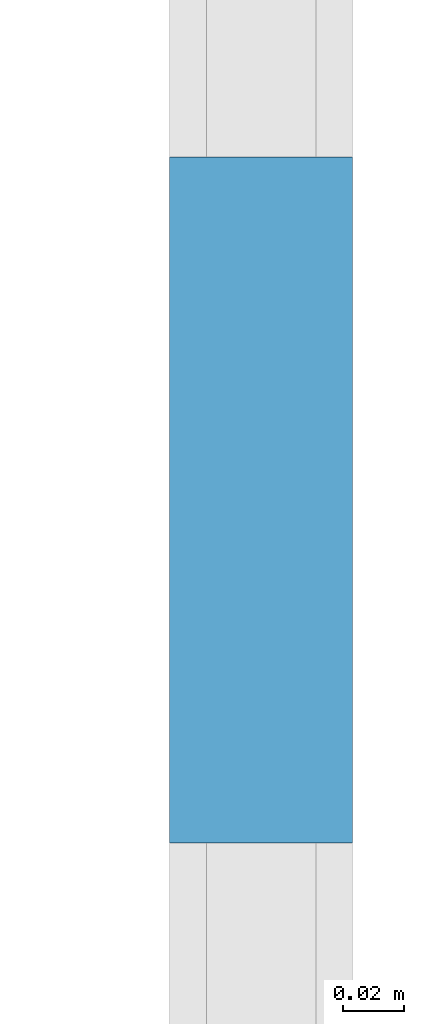
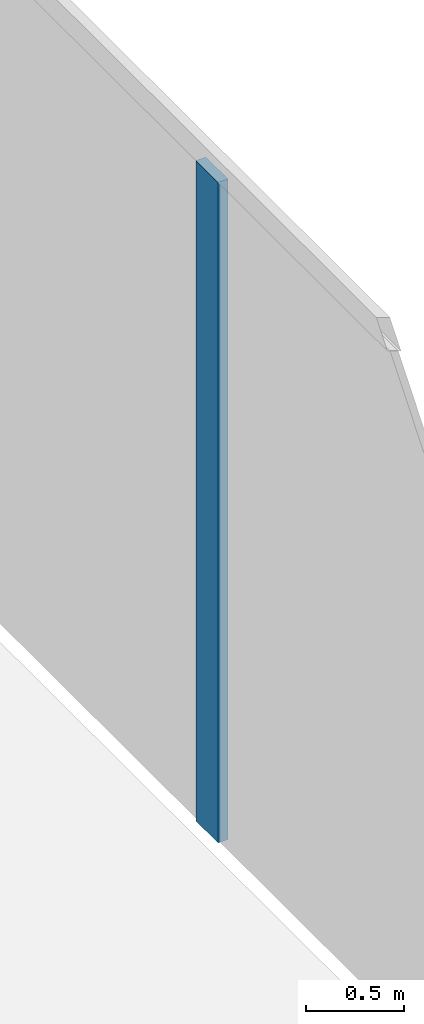
# One storey, part 19 of 47: 1 member, 1 element without a shape of its own.
"""IFC4 building model written with IfcOpenShell, lengths in metres."""

from ifc_helpers import new_model, si_unit, direction, frame, origin, origin_2d, place, context, subcontext, project, spatial, rectangle, extrude, material, layer, layer_set, material_profile, profile_set, type_object, element, aggregate, save


model = new_model("IFC4")

# Units and contexts
model_context = context("Model", 3, precision=1e-05, world=origin(), true_north=direction((0.0, 1.0)))
body_context = subcontext(model_context, "Body", "Model", "MODEL_VIEW")
ifc_project = project(units=[si_unit("LENGTHUNIT", "METRE"), si_unit("AREAUNIT", "SQUARE_METRE"), si_unit("VOLUMEUNIT", "CUBIC_METRE"), si_unit("PLANEANGLEUNIT", "RADIAN"), si_unit("MASSUNIT", "GRAM", prefix="KILO")], contexts=[model_context])

# Site, building, storey
site_placement = place(None, origin())
site = spatial("IfcSite", under=ifc_project, at=site_placement, CompositionType="ELEMENT")
building_placement = place(site_placement, origin())
building = spatial("IfcBuilding", under=site, at=building_placement, Name="Kheshtan School and Residences Tower", CompositionType="ELEMENT")
storey_placement = place(building_placement, frame((0.0, 0.0, 12.5)))
storey = spatial("IfcBuildingStorey", under=building, at=storey_placement, Name="L02", CompositionType="ELEMENT", Elevation=12.5)

# Curtain wall, member
ifc_material_1 = material(Name="Clear low-e glass in thermally broken aluminium frame", Category="aluminium")
ifc_layer = layer(ifc_material_1, 0.22509765625)
ifc_layer_set = layer_set([ifc_layer], Name="Curtain wall CW-P")
curtain_wall_type = type_object("IfcCurtainWallType", Name="Curtain wall CW-P", PredefinedType="NOTDEFINED", material=ifc_layer_set)
curtain_wall_placement = place(storey_placement, origin())
curtain_wall = element("IfcCurtainWall", 1, at=curtain_wall_placement, inside=storey, type_object=curtain_wall_type, Name="Curtain wall CWP8a", PredefinedType="NOTDEFINED")
ifc_material_2 = material(Name="Thermally broken aluminium, dark bronze anodised", Category="aluminium")
ifc_material_profile = material_profile(ifc_material_2, rectangle(XDim=0.06005859375, YDim=0.22509765625, at=origin_2d()), Name="CW-P mullion 60x225")
ifc_profile_set = profile_set([ifc_material_profile], Name="Thermally broken aluminium, dark bronze anodised")
member_type = type_object("IfcMemberType", Name="CW-P mullion 60x225", PredefinedType="MULLION", material=ifc_profile_set)
member_placement = place(storey_placement, frame((132.10009765625, 76.622314453125, 0.0), z_axis=(0.0, 0.0, 1.0), x_axis=(1.0, 0.0, 0.0)))
member = element("IfcMember", 2, at=member_placement, type_object=member_type, Name="CWP8a mullion 6", PredefinedType="MULLION", context=body_context, shape_type="SweptSolid", body=[
    extrude(rectangle(XDim=0.06005859375, YDim=0.22509765625, at=origin_2d()), origin(), (0.0, 0.0, 1.0), 4.110107421875),
])
aggregate(curtain_wall, [member])

save(model, "model.ifc")
